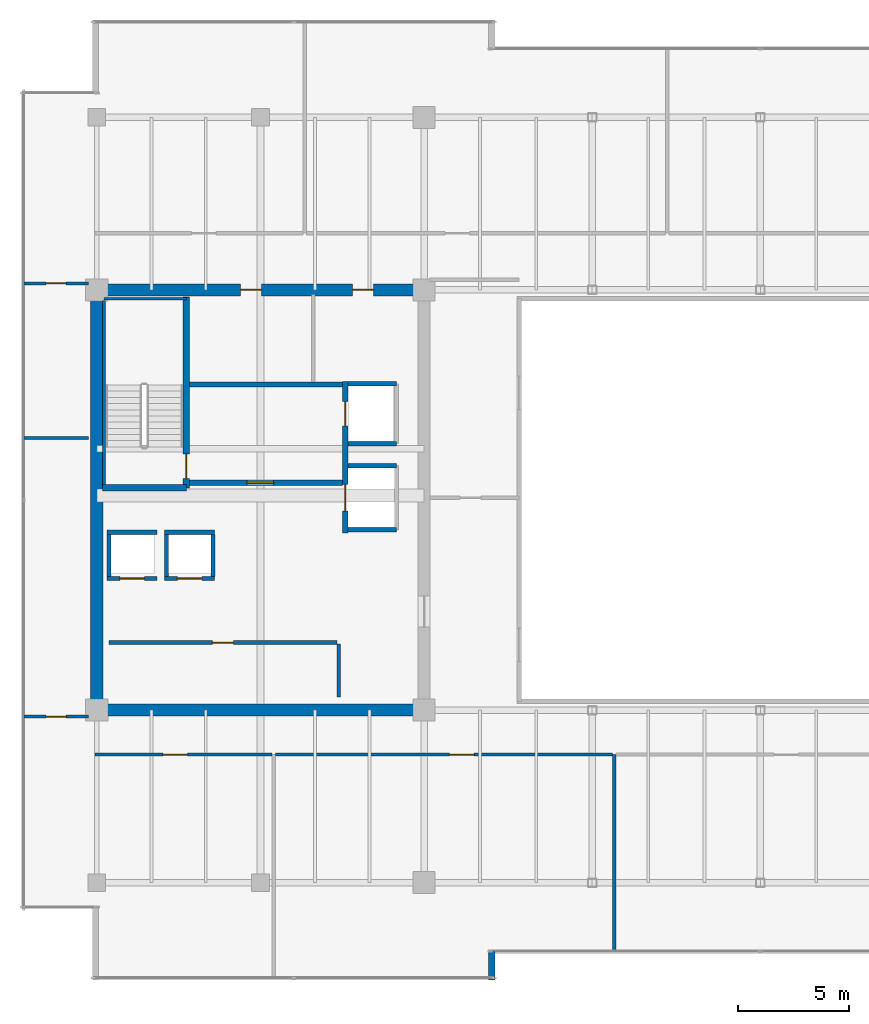
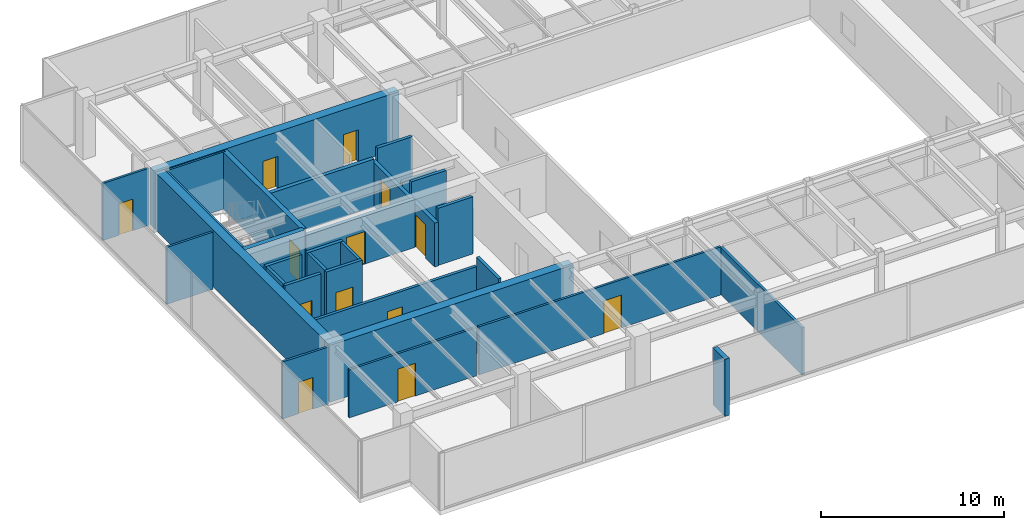
# One storey, part 28 of 33: 30 walls, 13 doors, 13 openings.
"""IFC4 building model written with IfcOpenShell, lengths in metres."""

from ifc_helpers import new_model, si_unit, direction, frame, frame_2d, origin, place, context, subcontext, project, spatial, rectangle, extrude, source, transform, mapped, material, layer, layer_set, type_object, type_shapes, element, fill, save


model = new_model("IFC4")

# Units and contexts
model_context = context("Model", 3, precision=1e-05, world=origin(), true_north=direction((0.0, 1.0)))
body_context = subcontext(model_context, "Body", "Model", "MODEL_VIEW")
ifc_project = project(units=[si_unit("LENGTHUNIT", "METRE"), si_unit("AREAUNIT", "SQUARE_METRE"), si_unit("VOLUMEUNIT", "CUBIC_METRE"), si_unit("PLANEANGLEUNIT", "RADIAN"), si_unit("MASSUNIT", "GRAM", prefix="KILO")], contexts=[model_context])

# Site, building, storey
site_placement = place(None, origin())
site = spatial("IfcSite", under=ifc_project, at=site_placement, CompositionType="ELEMENT")
building_placement = place(site_placement, origin())
building = spatial("IfcBuilding", under=site, at=building_placement, Name="Haelvirn Gate Laboratories", CompositionType="ELEMENT")
storey_placement = place(building_placement, frame((0.0, 0.0, 250.60009765625)))
storey = spatial("IfcBuildingStorey", under=building, at=storey_placement, Name="L60", CompositionType="ELEMENT", Elevation=250.60009765625)

# Walls
ifc_material_1 = material(Name="Thermally-broken bronze aluminium rainscreen & mineral wool", Category="aluminium")
ifc_layer_1 = layer(ifc_material_1, 0.280029296875, Name="EW-TERR-280")
ifc_layer_set_1 = layer_set([ifc_layer_1], Name="Thermally-broken bronze aluminium rainscreen & mineral wool")
wall_type_1 = type_object("IfcWallType", Name="EW-TERR-280", PredefinedType="STANDARD", material=ifc_layer_set_1)
wall_1_placement = place(storey_placement, frame((25.260009765625, 2.60009765625, 0.0), z_axis=(0.0, 0.0, 1.0), x_axis=(0.0, 1.0, 0.0)))
element("IfcWall", 1, at=wall_1_placement, inside=storey, type_object=wall_type_1, Name="L60 Atrium Recess Bronze Return Wall 01", PredefinedType="STANDARD", context=body_context, shape_type="SweptSolid", body=[
    extrude(rectangle(XDim=1.29296875, YDim=0.280029296875, at=frame_2d((0.646484375, 0.0))), origin(), (0.0, 0.0, 1.0), 3.7998046875),
])
ifc_material_2 = material(Name="Double-layer acoustic gypsum laboratory partition", Category="gypsum")
ifc_layer_2 = layer(ifc_material_2, 0.159912109375, Name="IW-ACOUST-160")
ifc_layer_set_2 = layer_set([ifc_layer_2], Name="Double-layer acoustic gypsum laboratory partition")
wall_type_2 = type_object("IfcWallType", Name="IW-ACOUST-160", PredefinedType="PARTITIONING", material=ifc_layer_set_2)
wall_2_placement = place(storey_placement, frame((30.800048828125, 3.909912109375, 0.0), z_axis=(0.0, 0.0, 1.0), x_axis=(0.0, 1.0, 0.0)))
element("IfcWall", 2, at=wall_2_placement, inside=storey, type_object=wall_type_2, Name="L60 Interior Wall IW-L60-SDIV-02", PredefinedType="PARTITIONING", context=body_context, shape_type="SweptSolid", body=[
    extrude(rectangle(XDim=8.880126953125, YDim=0.159912109375, at=frame_2d((4.43994140625, 0.0))), origin(), (0.0, 0.0, 1.0), 3.135009765625),
])

# Wall, opening, door
ifc_material_3 = material(Name="Acoustic mineral-wool gypsum board partition", Category="gypsum")
ifc_layer_3 = layer(ifc_material_3, 0.139892578125, Name="IW-PART-140")
ifc_layer_set_3 = layer_set([ifc_layer_3], Name="Acoustic mineral-wool gypsum board partition")
wall_type_3 = type_object("IfcWallType", Name="IW-PART-140", PredefinedType="PARTITIONING", material=ifc_layer_set_3)
wall_3_placement = place(storey_placement, frame((7.31005859375, 12.7900390625, 0.0), z_axis=(0.0, 0.0, 1.0), x_axis=(1.0, 0.0, 0.0)))
wall_3 = element("IfcWall", 3, at=wall_3_placement, inside=storey, type_object=wall_type_3, Name="L60 Interior Wall IW-L60-SCORR-01", PredefinedType="PARTITIONING", context=body_context, shape_type="SweptSolid", body=[
    extrude(rectangle(XDim=8.010009765625, YDim=0.139892578125, at=frame_2d((4.0048828125, 0.0))), origin(), (0.0, 0.0, 1.0), 3.197021484375),
])
opening_1_placement = place(wall_3_placement, frame((3.08251953125, 0.0, 0.0)))
opening_1 = element("IfcOpeningElement", 4, at=opening_1_placement, cuts=wall_3, Name="Opening D1", PredefinedType="OPENING", context=body_context, shape_type="SweptSolid", body=[
    extrude(rectangle(XDim=1.10009765625, YDim=2.179931640625, at=frame_2d((0.550048828125, 1.08984375))), frame((0.0, 0.080078125, 0.0), z_axis=(0.0, -1.0, 0.0), x_axis=(1.0, 0.0, 0.0)), (0.0, 0.0, 1.0), 0.159912109375),
])
ifc_material_4 = material(Name="Vision-panel acoustic solid-core timber lab door", Category="wood")
door_type_1 = type_object("IfcDoorType", Name="DR-LAB-1100", OperationType="NOTDEFINED", PredefinedType="DOOR", material=ifc_material_4)
shared_shape_1 = source(origin(), body_context, "Body", "SweptSolid", [
    extrude(rectangle(XDim=1.10009765625, YDim=2.179931640625, at=frame_2d((0.550048828125, 1.08984375))), frame((0.0, 0.02490234375, 0.0), z_axis=(0.0, -1.0, 0.0), x_axis=(1.0, 0.0, 0.0)), (0.0, 0.0, 1.0), 0.050048828125),
])
type_shapes(door_type_1, [shared_shape_1])
door_1_placement = place(opening_1_placement, origin())
door_1 = element("IfcDoor", 5, at=door_1_placement, inside=storey, type_object=door_type_1, Name="L60 Translational Data Office Door S1", OperationType="SINGLE_SWING_LEFT", OverallHeight=2.179931640625, OverallWidth=1.10009765625, PredefinedType="DOOR", context=body_context, shape_type="MappedRepresentation", body=[
    mapped(shared_shape_1, transform((0.0, 0.0, 0.0), scale=1.0)),
])
fill(opening_1, door_1)

wall_4_placement = place(storey_placement, frame((15.47998046875, 12.7900390625, 0.0), z_axis=(0.0, 0.0, 1.0), x_axis=(1.0, 0.0, 0.0)))
wall_4 = element("IfcWall", 6, at=wall_4_placement, inside=storey, type_object=wall_type_3, Name="L60 Interior Wall IW-L60-SCORR-02", PredefinedType="PARTITIONING", context=body_context, shape_type="SweptSolid", body=[
    extrude(rectangle(XDim=15.239990234375, YDim=0.139892578125, at=frame_2d((7.6201171875, 0.0))), origin(), (0.0, 0.0, 1.0), 3.197021484375),
])
opening_2_placement = place(wall_4_placement, frame((7.87646484375, 0.0, 0.0)))
opening_2 = element("IfcOpeningElement", 7, at=opening_2_placement, cuts=wall_4, Name="Opening D1", PredefinedType="OPENING", context=body_context, shape_type="SweptSolid", body=[
    extrude(rectangle(XDim=1.10009765625, YDim=2.179931640625, at=frame_2d((0.550048828125, 1.08984375))), frame((0.0, 0.080078125, 0.0), z_axis=(0.0, -1.0, 0.0), x_axis=(1.0, 0.0, 0.0)), (0.0, 0.0, 1.0), 0.159912109375),
])
door_2_placement = place(opening_2_placement, origin())
door_2 = element("IfcDoor", 8, at=door_2_placement, inside=storey, type_object=door_type_1, Name="L60 Computational Write-Up Office Door S2", OperationType="SINGLE_SWING_RIGHT", OverallHeight=2.179931640625, OverallWidth=1.10009765625, PredefinedType="DOOR", context=body_context, shape_type="MappedRepresentation", body=[
    mapped(shared_shape_1, transform((0.0, 0.0, 0.0), scale=1.0)),
])
fill(opening_2, door_2)

# Wall
wall_5_placement = place(storey_placement, frame((4.110107421875, 27.10009765625, 0.0), z_axis=(0.0, 0.0, 1.0), x_axis=(1.0, 0.0, 0.0)))
element("IfcWall", 9, at=wall_5_placement, inside=storey, type_object=wall_type_3, Name="L60 Interior Wall IW-L60-WZ3-MID", PredefinedType="PARTITIONING", context=body_context, shape_type="SweptSolid", body=[
    extrude(rectangle(XDim=2.909912109375, YDim=0.139892578125, at=frame_2d((1.455078125, 0.0))), origin(), (0.0, 0.0, 1.0), 3.7998046875),
])

# Wall, opening, door
wall_6_placement = place(storey_placement, frame((4.110107421875, 14.5048828125, 0.0), z_axis=(0.0, 0.0, 1.0), x_axis=(1.0, 0.0, 0.0)))
wall_6 = element("IfcWall", 10, at=wall_6_placement, inside=storey, type_object=wall_type_3, Name="L60 Interior Wall IW-L60-WZ3-ENT-S", PredefinedType="PARTITIONING", context=body_context, shape_type="SweptSolid", body=[
    extrude(rectangle(XDim=2.909912109375, YDim=0.139892578125, at=frame_2d((1.455078125, 0.0))), origin(), (0.0, 0.0, 1.0), 3.7998046875),
])
opening_3_placement = place(wall_6_placement, frame((1.0048828125, 0.0, 0.0)))
opening_3 = element("IfcOpeningElement", 11, at=opening_3_placement, cuts=wall_6, Name="Opening D4", PredefinedType="OPENING", context=body_context, shape_type="SweptSolid", body=[
    extrude(rectangle(XDim=0.89990234375, YDim=2.10009765625, at=frame_2d((0.449951171875, 1.050048828125))), frame((0.0, 0.080078125, 0.0), z_axis=(0.0, -1.0, 0.0), x_axis=(1.0, 0.0, 0.0)), (0.0, 0.0, 1.0), 0.159912109375),
])
ifc_material_5 = material(Name="Glazed aluminium-framed write-up door", Category="aluminium")
door_type_2 = type_object("IfcDoorType", Name="DR-OFF-900", OperationType="NOTDEFINED", PredefinedType="DOOR", material=ifc_material_5)
shared_shape_2 = source(origin(), body_context, "Body", "SweptSolid", [
    extrude(rectangle(XDim=0.89990234375, YDim=2.10009765625, at=frame_2d((0.449951171875, 1.050048828125))), frame((0.0, 0.02490234375, 0.0), z_axis=(0.0, -1.0, 0.0), x_axis=(1.0, 0.0, 0.0)), (0.0, 0.0, 1.0), 0.050048828125),
])
type_shapes(door_type_2, [shared_shape_2])
door_3_placement = place(opening_3_placement, origin())
door_3 = element("IfcDoor", 12, at=door_3_placement, inside=storey, type_object=door_type_2, Name="L60 Cleanroom Metrology Suite Door W-S", OperationType="SINGLE_SWING_LEFT", OverallHeight=2.10009765625, OverallWidth=0.89990234375, PredefinedType="DOOR", context=body_context, shape_type="MappedRepresentation", body=[
    mapped(shared_shape_2, transform((0.0, 0.0, 0.0), scale=1.0)),
])
fill(opening_3, door_3)

wall_7_placement = place(storey_placement, frame((4.110107421875, 34.094970703125, 0.0), z_axis=(0.0, 0.0, 1.0), x_axis=(1.0, 0.0, 0.0)))
wall_7 = element("IfcWall", 13, at=wall_7_placement, inside=storey, type_object=wall_type_3, Name="L60 Interior Wall IW-L60-WZ3-ENT-N", PredefinedType="PARTITIONING", context=body_context, shape_type="SweptSolid", body=[
    extrude(rectangle(XDim=2.909912109375, YDim=0.139892578125, at=frame_2d((1.455078125, 0.0))), origin(), (0.0, 0.0, 1.0), 3.7998046875),
])
opening_4_placement = place(wall_7_placement, frame((1.0048828125, 0.0, 0.0)))
opening_4 = element("IfcOpeningElement", 14, at=opening_4_placement, cuts=wall_7, Name="Opening D4", PredefinedType="OPENING", context=body_context, shape_type="SweptSolid", body=[
    extrude(rectangle(XDim=0.89990234375, YDim=2.10009765625, at=frame_2d((0.449951171875, 1.050048828125))), frame((0.0, 0.080078125, 0.0), z_axis=(0.0, -1.0, 0.0), x_axis=(1.0, 0.0, 0.0)), (0.0, 0.0, 1.0), 0.159912109375),
])
door_4_placement = place(opening_4_placement, origin())
door_4 = element("IfcDoor", 15, at=door_4_placement, inside=storey, type_object=door_type_2, Name="L60 Analytical Instrument Suite Door W-N", OperationType="SINGLE_SWING_RIGHT", OverallHeight=2.10009765625, OverallWidth=0.89990234375, PredefinedType="DOOR", context=body_context, shape_type="MappedRepresentation", body=[
    mapped(shared_shape_2, transform((0.0, 0.0, 0.0), scale=1.0)),
])
fill(opening_4, door_4)

# Walls
ifc_material_6 = material(Name="Concrete C40/50", Category="concrete")
ifc_layer_4 = layer(ifc_material_6, 0.179931640625, Name="IW-SHAFT-180")
ifc_layer_set_4 = layer_set([ifc_layer_4], Name="Concrete C40/50")
wall_type_4 = type_object("IfcWallType", Name="IW-SHAFT-180", PredefinedType="SOLIDWALL", material=ifc_layer_set_4)
for number, where, z_axis, x_axis, name in (
    (16, (7.949951171875, 20.85009765625, 0.0), (0.0, 0.0, 1.0), (0.0, 1.0, 0.0), "L60 Interior Wall IW-L60-PL9-SD"),
    (17, (10.550048828125, 20.85009765625, 0.0), (0.0, 0.0, 1.0), (0.0, 1.0, 0.0), "L60 Interior Wall IW-L60-PL10-SD"),
    (18, (12.64990234375, 20.85009765625, 0.0), (0.0, 0.0, 1.0), (0.0, 1.0, 0.0), "L60 Interior Wall IW-L60-PL10-SDE"),
):
    element("IfcWall", number, at=place(storey_placement, frame(where, z_axis=z_axis, x_axis=x_axis)), inside=storey, type_object=wall_type_4, Name=name, PredefinedType="SOLIDWALL", context=body_context, shape_type="SweptSolid", body=[
        extrude(rectangle(XDim=1.89990234375, YDim=0.179931640625, at=frame_2d((0.949951171875, 0.0))), origin(), (0.0, 0.0, 1.0), 3.7998046875),
    ])

# Wall, opening, door
wall_8_placement = place(storey_placement, frame((7.949951171875, 17.85009765625, 0.0), z_axis=(0.0, 0.0, 1.0), x_axis=(1.0, 0.0, 0.0)))
wall_8 = element("IfcWall", 19, at=wall_8_placement, inside=storey, type_object=wall_type_4, Name="L60 Interior Wall IW-L60-W-FREED-HN-1", PredefinedType="SOLIDWALL", context=body_context, shape_type="SweptSolid", body=[
    extrude(rectangle(XDim=10.300048828125, YDim=0.179931640625, at=frame_2d((5.14990234375, 0.0))), origin(), (0.0, 0.0, 1.0), 3.197021484375),
])
opening_5_placement = place(wall_8_placement, frame((4.675048828125, 0.0, 0.0)))
opening_5 = element("IfcOpeningElement", 20, at=opening_5_placement, cuts=wall_8, Name="Opening FD4", PredefinedType="OPENING", context=body_context, shape_type="SweptSolid", body=[
    extrude(rectangle(XDim=0.949951171875, YDim=2.14990234375, at=frame_2d((0.47509765625, 1.074951171875))), frame((0.0, 0.10009765625, 0.0), z_axis=(0.0, -1.0, 0.0), x_axis=(1.0, 0.0, 0.0)), (0.0, 0.0, 1.0), 0.199951171875),
])
ifc_material_7 = material(Name="Fire-rated steel SM355 core service door", Category="steel")
door_type_3 = type_object("IfcDoorType", Name="DR-FD-950", OperationType="NOTDEFINED", PredefinedType="DOOR", material=ifc_material_7)
shared_shape_3 = source(origin(), body_context, "Body", "SweptSolid", [
    extrude(rectangle(XDim=0.949951171875, YDim=2.14990234375, at=frame_2d((0.47509765625, 1.074951171875))), frame((0.0, 0.02490234375, 0.0), z_axis=(0.0, -1.0, 0.0), x_axis=(1.0, 0.0, 0.0)), (0.0, 0.0, 1.0), 0.050048828125),
])
type_shapes(door_type_3, [shared_shape_3])
door_5_placement = place(opening_5_placement, origin())
door_5 = element("IfcDoor", 21, at=door_5_placement, inside=storey, type_object=door_type_3, Name="L60 High-Zone Cryogenic Biobank Vault Door", OperationType="SINGLE_SWING_LEFT", OverallHeight=2.14990234375, OverallWidth=0.949951171875, PredefinedType="DOOR", context=body_context, shape_type="MappedRepresentation", body=[
    mapped(shared_shape_3, transform((0.0, 0.0, 0.0), scale=1.0)),
])
fill(opening_5, door_5)

# Wall
wall_9_placement = place(storey_placement, frame((18.340087890625, 15.39990234375, 0.0), z_axis=(0.0, 0.0, 1.0), x_axis=(0.0, 1.0, 0.0)))
element("IfcWall", 22, at=wall_9_placement, inside=storey, type_object=wall_type_4, Name="L60 Interior Wall IW-L60-W-FREED-HE-1", PredefinedType="SOLIDWALL", context=body_context, shape_type="SweptSolid", body=[
    extrude(rectangle(XDim=2.400146484375, YDim=0.179931640625, at=frame_2d((1.2001953125, 0.0))), origin(), (0.0, 0.0, 1.0), 3.7998046875),
])

# Wall, opening, door
ifc_layer_5 = layer(ifc_material_6, 0.199951171875, Name="IW-SHAFT-200")
ifc_layer_set_5 = layer_set([ifc_layer_5], Name="Concrete C40/50")
wall_type_5 = type_object("IfcWallType", Name="IW-SHAFT-200", PredefinedType="SOLIDWALL", material=ifc_layer_set_5)
wall_10_placement = place(storey_placement, frame((7.8701171875, 20.75, 0.0), z_axis=(0.0, 0.0, 1.0), x_axis=(1.0, 0.0, 0.0)))
wall_10 = element("IfcWall", 23, at=wall_10_placement, inside=storey, type_object=wall_type_5, Name="L60 Interior Wall IW-L60-PL9-FR", PredefinedType="SOLIDWALL", context=body_context, shape_type="SweptSolid", body=[
    extrude(rectangle(XDim=2.259765625, YDim=0.199951171875, at=frame_2d((1.1298828125, 0.0))), origin(), (0.0, 0.0, 1.0), 3.7998046875),
])
opening_6_placement = place(wall_10_placement, frame((0.580078125, 0.0, 0.0)))
opening_6 = element("IfcOpeningElement", 24, at=opening_6_placement, cuts=wall_10, Name="Opening LD2", PredefinedType="OPENING", context=body_context, shape_type="SweptSolid", body=[
    extrude(rectangle(XDim=1.10009765625, YDim=2.219970703125, at=frame_2d((0.550048828125, 1.10986328125))), frame((0.0, 0.10986328125, 0.0), z_axis=(0.0, -1.0, 0.0), x_axis=(1.0, 0.0, 0.0)), (0.0, 0.0, 1.0), 0.219970703125),
])
ifc_material_8 = material(Name="Bronze stainless 316L sliding lift landing door")
door_type_4 = type_object("IfcDoorType", Name="DR-LD-1100", OperationType="NOTDEFINED", PredefinedType="USERDEFINED", material=ifc_material_8)
shared_shape_4 = source(origin(), body_context, "Body", "SweptSolid", [
    extrude(rectangle(XDim=1.10009765625, YDim=2.219970703125, at=frame_2d((0.550048828125, 1.10986328125))), frame((0.0, 0.02490234375, 0.0), z_axis=(0.0, -1.0, 0.0), x_axis=(1.0, 0.0, 0.0)), (0.0, 0.0, 1.0), 0.050048828125),
])
type_shapes(door_type_4, [shared_shape_4])
door_6_placement = place(opening_6_placement, origin())
door_6 = element("IfcDoor", 25, at=door_6_placement, inside=storey, type_object=door_type_4, Name="L60 Passenger Lift PL9 Landing Door", ObjectType="LANDING_DOOR", OperationType="SLIDING_TO_LEFT", OverallHeight=2.219970703125, OverallWidth=1.10009765625, PredefinedType="USERDEFINED", context=body_context, shape_type="MappedRepresentation", body=[
    mapped(shared_shape_4, transform((0.0, 0.0, 0.0), scale=1.0)),
])
fill(opening_6, door_6)

# Wall
wall_11_placement = place(storey_placement, frame((7.8701171875, 22.85009765625, 0.0), z_axis=(0.0, 0.0, 1.0), x_axis=(1.0, 0.0, 0.0)))
element("IfcWall", 26, at=wall_11_placement, inside=storey, type_object=wall_type_5, Name="L60 Interior Wall IW-L60-PL9-BK", PredefinedType="SOLIDWALL", context=body_context, shape_type="SweptSolid", body=[
    extrude(rectangle(XDim=2.259765625, YDim=0.199951171875, at=frame_2d((1.1298828125, 0.0))), origin(), (0.0, 0.0, 1.0), 3.7998046875),
])

# Wall, opening, door
wall_12_placement = place(storey_placement, frame((10.469970703125, 20.75, 0.0), z_axis=(0.0, 0.0, 1.0), x_axis=(1.0, 0.0, 0.0)))
wall_12 = element("IfcWall", 27, at=wall_12_placement, inside=storey, type_object=wall_type_5, Name="L60 Interior Wall IW-L60-PL10-FR", PredefinedType="SOLIDWALL", context=body_context, shape_type="SweptSolid", body=[
    extrude(rectangle(XDim=2.260009765625, YDim=0.199951171875, at=frame_2d((1.1298828125, 0.0))), origin(), (0.0, 0.0, 1.0), 3.7998046875),
])
opening_7_placement = place(wall_12_placement, frame((0.580078125, 0.0, 0.0)))
opening_7 = element("IfcOpeningElement", 28, at=opening_7_placement, cuts=wall_12, Name="Opening LD2", PredefinedType="OPENING", context=body_context, shape_type="SweptSolid", body=[
    extrude(rectangle(XDim=1.10009765625, YDim=2.219970703125, at=frame_2d((0.550048828125, 1.10986328125))), frame((0.0, 0.10986328125, 0.0), z_axis=(0.0, -1.0, 0.0), x_axis=(1.0, 0.0, 0.0)), (0.0, 0.0, 1.0), 0.219970703125),
])
door_7_placement = place(opening_7_placement, origin())
door_7 = element("IfcDoor", 29, at=door_7_placement, inside=storey, type_object=door_type_4, Name="L60 Passenger Lift PL10 Landing Door", ObjectType="LANDING_DOOR", OperationType="SLIDING_TO_RIGHT", OverallHeight=2.219970703125, OverallWidth=1.10009765625, PredefinedType="USERDEFINED", context=body_context, shape_type="MappedRepresentation", body=[
    mapped(shared_shape_4, transform((0.0, 0.0, 0.0), scale=1.0)),
])
fill(opening_7, door_7)

# Walls
wall_13_placement = place(storey_placement, frame((10.469970703125, 22.85009765625, 0.0), z_axis=(0.0, 0.0, 1.0), x_axis=(1.0, 0.0, 0.0)))
element("IfcWall", 30, at=wall_13_placement, inside=storey, type_object=wall_type_5, Name="L60 Interior Wall IW-L60-PL10-BK", PredefinedType="SOLIDWALL", context=body_context, shape_type="SweptSolid", body=[
    extrude(rectangle(XDim=2.260009765625, YDim=0.199951171875, at=frame_2d((1.1298828125, 0.0))), origin(), (0.0, 0.0, 1.0), 3.7998046875),
])
wall_14_placement = place(storey_placement, frame((18.760009765625, 29.550048828125, 0.0), z_axis=(0.0, 0.0, 1.0), x_axis=(1.0, 0.0, 0.0)))
element("IfcWall", 31, at=wall_14_placement, inside=storey, type_object=wall_type_5, Name="L60 Interior Wall IW-L60-FL1-N", PredefinedType="SOLIDWALL", context=body_context, shape_type="SweptSolid", body=[
    extrude(rectangle(XDim=2.18994140625, YDim=0.199951171875, at=frame_2d((1.094970703125, 0.0))), origin(), (0.0, 0.0, 1.0), 3.7998046875),
])
wall_15_placement = place(storey_placement, frame((18.760009765625, 26.85009765625, 0.0), z_axis=(0.0, 0.0, 1.0), x_axis=(1.0, 0.0, 0.0)))
element("IfcWall", 32, at=wall_15_placement, inside=storey, type_object=wall_type_5, Name="L60 Interior Wall IW-L60-FL1-S", PredefinedType="SOLIDWALL", context=body_context, shape_type="SweptSolid", body=[
    extrude(rectangle(XDim=2.18994140625, YDim=0.199951171875, at=frame_2d((1.094970703125, 0.0))), origin(), (0.0, 0.0, 1.0), 3.197021484375),
])
for number, where, z_axis, x_axis, name in (
    (33, (18.760009765625, 25.85009765625, 0.0), (0.0, 0.0, 1.0), (1.0, 0.0, 0.0), "L60 Interior Wall IW-L60-SL1-N"),
    (34, (18.760009765625, 22.949951171875, 0.0), (0.0, 0.0, 1.0), (1.0, 0.0, 0.0), "L60 Interior Wall IW-L60-SL1-S"),
):
    element("IfcWall", number, at=place(storey_placement, frame(where, z_axis=z_axis, x_axis=x_axis)), inside=storey, type_object=wall_type_5, Name=name, PredefinedType="SOLIDWALL", context=body_context, shape_type="SweptSolid", body=[
        extrude(rectangle(XDim=2.18994140625, YDim=0.199951171875, at=frame_2d((1.094970703125, 0.0))), origin(), (0.0, 0.0, 1.0), 3.7998046875),
    ])

# Wall, opening, door
ifc_layer_6 = layer(ifc_material_6, 0.239990234375, Name="IW-SHAFT-240")
ifc_layer_set_6 = layer_set([ifc_layer_6], Name="Concrete C40/50")
wall_type_6 = type_object("IfcWallType", Name="IW-SHAFT-240", PredefinedType="SOLIDWALL", material=ifc_layer_set_6)
wall_16_placement = place(storey_placement, frame((11.60009765625, 25.080078125, 0.0), z_axis=(0.0, 0.0, 1.0), x_axis=(1.0, 0.0, 0.0)))
wall_16 = element("IfcWall", 35, at=wall_16_placement, inside=storey, type_object=wall_type_6, Name="L60 Interior Wall IW-L60-W-FF-S", PredefinedType="SOLIDWALL", context=body_context, shape_type="SweptSolid", body=[
    extrude(rectangle(XDim=6.919921875, YDim=0.239990234375, at=frame_2d((3.4599609375, 0.0))), origin(), (0.0, 0.0, 1.0), 3.197021484375),
])
opening_8_placement = place(wall_16_placement, frame((2.60009765625, 0.0, 0.0)))
opening_8 = element("IfcOpeningElement", 36, at=opening_8_placement, cuts=wall_16, Name="Opening FD2", PredefinedType="OPENING", context=body_context, shape_type="SweptSolid", body=[
    extrude(rectangle(XDim=1.199951171875, YDim=2.159912109375, at=frame_2d((0.60009765625, 1.080078125))), frame((0.0, 0.1298828125, 0.0), z_axis=(0.0, -1.0, 0.0), x_axis=(1.0, 0.0, 0.0)), (0.0, 0.0, 1.0), 0.260009765625),
])
ifc_material_9 = material(Name="Fire-rated steel SM355 compartment door", Category="steel")
door_type_5 = type_object("IfcDoorType", Name="DR-FD-1200", OperationType="NOTDEFINED", PredefinedType="DOOR", material=ifc_material_9)
shared_shape_5 = source(origin(), body_context, "Body", "SweptSolid", [
    extrude(rectangle(XDim=1.199951171875, YDim=2.159912109375, at=frame_2d((0.60009765625, 1.080078125))), frame((0.0, 0.02490234375, 0.0), z_axis=(0.0, -1.0, 0.0), x_axis=(1.0, 0.0, 0.0)), (0.0, 0.0, 1.0), 0.050048828125),
])
type_shapes(door_type_5, [shared_shape_5])
door_8_placement = place(opening_8_placement, origin())
door_8 = element("IfcDoor", 37, at=door_8_placement, inside=storey, type_object=door_type_5, Name="L60 West Firefighting Lobby Door", OperationType="SINGLE_SWING_RIGHT", OverallHeight=2.159912109375, OverallWidth=1.199951171875, PredefinedType="DOOR", context=body_context, shape_type="MappedRepresentation", body=[
    mapped(shared_shape_5, transform((0.0, 0.0, 0.0), scale=1.0)),
])
fill(opening_8, door_8)

# Wall
wall_17_placement = place(storey_placement, frame((11.60009765625, 29.52001953125, 0.0), z_axis=(0.0, 0.0, 1.0), x_axis=(1.0, 0.0, 0.0)))
element("IfcWall", 38, at=wall_17_placement, inside=storey, type_object=wall_type_6, Name="L60 Interior Wall IW-L60-W-FF-N", PredefinedType="SOLIDWALL", context=body_context, shape_type="SweptSolid", body=[
    extrude(rectangle(XDim=6.919921875, YDim=0.239990234375, at=frame_2d((3.4599609375, 0.0))), origin(), (0.0, 0.0, 1.0), 3.197021484375),
])

# Wall, openings, doors
wall_18_placement = place(storey_placement, frame((18.639892578125, 22.800048828125, 0.0), z_axis=(0.0, 0.0, 1.0), x_axis=(0.0, 1.0, 0.0)))
wall_18 = element("IfcWall", 39, at=wall_18_placement, inside=storey, type_object=wall_type_6, Name="L60 Interior Wall IW-L60-W-FF-E", PredefinedType="SOLIDWALL", context=body_context, shape_type="SweptSolid", body=[
    extrude(rectangle(XDim=6.849853515625, YDim=0.239990234375, at=frame_2d((3.4248046875, 0.0))), origin(), (0.0, 0.0, 1.0), 2.934814453125),
])
opening_9_placement = place(wall_18_placement, frame((4.85009765625, 0.0, 0.0)))
opening_9 = element("IfcOpeningElement", 40, at=opening_9_placement, cuts=wall_18, Name="Opening LD2", PredefinedType="OPENING", context=body_context, shape_type="SweptSolid", body=[
    extrude(rectangle(XDim=1.10009765625, YDim=2.219970703125, at=frame_2d((0.550048828125, 1.10986328125))), frame((0.0, 0.1298828125, 0.0), z_axis=(0.0, -1.0, 0.0), x_axis=(1.0, 0.0, 0.0)), (0.0, 0.0, 1.0), 0.260009765625),
])
opening_10_placement = place(wall_18_placement, frame((1.0, 0.0, 0.0)))
opening_10 = element("IfcOpeningElement", 41, at=opening_10_placement, cuts=wall_18, Name="Opening LD1", PredefinedType="OPENING", context=body_context, shape_type="SweptSolid", body=[
    extrude(rectangle(XDim=1.199951171875, YDim=2.219970703125, at=frame_2d((0.60009765625, 1.10986328125))), frame((0.0, 0.1298828125, 0.0), z_axis=(0.0, -1.0, 0.0), x_axis=(1.0, 0.0, 0.0)), (0.0, 0.0, 1.0), 0.260009765625),
])
door_9_placement = place(opening_9_placement, origin())
door_9 = element("IfcDoor", 42, at=door_9_placement, inside=storey, type_object=door_type_4, Name="L60 Firefighting Lift FL1 Landing Door", ObjectType="LANDING_DOOR", OperationType="SLIDING_TO_LEFT", OverallHeight=2.219970703125, OverallWidth=1.10009765625, PredefinedType="USERDEFINED", context=body_context, shape_type="MappedRepresentation", body=[
    mapped(shared_shape_4, transform((0.0, 0.0, 0.0), scale=1.0)),
])
fill(opening_9, door_9)
ifc_material_10 = material(Name="Stainless steel 316L sliding goods landing door", Category="steel")
door_type_6 = type_object("IfcDoorType", Name="DR-LD-1200", OperationType="NOTDEFINED", PredefinedType="USERDEFINED", material=ifc_material_10)
shared_shape_6 = source(origin(), body_context, "Body", "SweptSolid", [
    extrude(rectangle(XDim=1.199951171875, YDim=2.219970703125, at=frame_2d((0.60009765625, 1.10986328125))), frame((0.0, 0.02490234375, 0.0), z_axis=(0.0, -1.0, 0.0), x_axis=(1.0, 0.0, 0.0)), (0.0, 0.0, 1.0), 0.050048828125),
])
type_shapes(door_type_6, [shared_shape_6])
door_10_placement = place(opening_10_placement, origin())
door_10 = element("IfcDoor", 43, at=door_10_placement, inside=storey, type_object=door_type_6, Name="L60 Service Lift SL1 Landing Door", ObjectType="LANDING_DOOR", OperationType="SLIDING_TO_RIGHT", OverallHeight=2.219970703125, OverallWidth=1.199951171875, PredefinedType="USERDEFINED", context=body_context, shape_type="MappedRepresentation", body=[
    mapped(shared_shape_6, transform((0.0, 0.0, 0.0), scale=1.0)),
])
fill(opening_10, door_10)

# Wall
ifc_material_11 = material(Name="Concrete C50/60", Category="concrete")
ifc_layer_7 = layer(ifc_material_11, 0.550048828125, Name="SW-CORE-550")
ifc_layer_set_7 = layer_set([ifc_layer_7], Name="Concrete C50/60")
wall_type_7 = type_object("IfcWallType", Name="SW-CORE-550", PredefinedType="SHEAR", material=ifc_layer_set_7)
wall_19_placement = place(storey_placement, frame((7.125, 14.800048828125, 0.0), z_axis=(0.0, 0.0, 1.0), x_axis=(1.0, 0.0, 0.0)))
element("IfcWall", 44, at=wall_19_placement, inside=storey, type_object=wall_type_7, Name="L60 W Core Shear Wall S", PredefinedType="SHEAR", context=body_context, shape_type="SweptSolid", body=[
    extrude(rectangle(XDim=15.35009765625, YDim=0.550048828125, at=frame_2d((7.675048828125, 0.0))), origin(), (0.0, 0.0, 1.0), 3.7998046875),
])

# Wall, openings, doors
wall_20_placement = place(storey_placement, frame((7.125, 33.800048828125, 0.0), z_axis=(0.0, 0.0, 1.0), x_axis=(1.0, 0.0, 0.0)))
wall_20 = element("IfcWall", 45, at=wall_20_placement, inside=storey, type_object=wall_type_7, Name="L60 W Core Shear Wall N", PredefinedType="SHEAR", context=body_context, shape_type="SweptSolid", body=[
    extrude(rectangle(XDim=15.35009765625, YDim=0.550048828125, at=frame_2d((7.675048828125, 0.0))), origin(), (0.0, 0.0, 1.0), 3.7998046875),
])
opening_11_placement = place(wall_20_placement, frame((6.77490234375, 0.0, 0.0)))
opening_11 = element("IfcOpeningElement", 46, at=opening_11_placement, cuts=wall_20, Name="Opening FD4", PredefinedType="OPENING", context=body_context, shape_type="SweptSolid", body=[
    extrude(rectangle(XDim=0.949951171875, YDim=2.14990234375, at=frame_2d((0.47509765625, 1.074951171875))), frame((0.0, 0.28515625, 0.0), z_axis=(0.0, -1.0, 0.0), x_axis=(1.0, 0.0, 0.0)), (0.0, 0.0, 1.0), 0.570068359375),
])
opening_12_placement = place(wall_20_placement, frame((11.840087890625, 0.0, 0.0)))
opening_12 = element("IfcOpeningElement", 47, at=opening_12_placement, cuts=wall_20, Name="Opening FD4", PredefinedType="OPENING", context=body_context, shape_type="SweptSolid", body=[
    extrude(rectangle(XDim=0.949951171875, YDim=2.14990234375, at=frame_2d((0.47509765625, 1.074951171875))), frame((0.0, 0.28515625, 0.0), z_axis=(0.0, -1.0, 0.0), x_axis=(1.0, 0.0, 0.0)), (0.0, 0.0, 1.0), 0.570068359375),
])
door_11_placement = place(opening_11_placement, origin())
door_11 = element("IfcDoor", 48, at=door_11_placement, inside=storey, type_object=door_type_3, Name="L60 All-Gender Multi-Stall Restroom Fire Door", OperationType="SINGLE_SWING_LEFT", OverallHeight=2.14990234375, OverallWidth=0.949951171875, PredefinedType="DOOR", context=body_context, shape_type="MappedRepresentation", body=[
    mapped(shared_shape_3, transform((0.0, 0.0, 0.0), scale=1.0)),
])
fill(opening_11, door_11)
door_12_placement = place(opening_12_placement, origin())
door_12 = element("IfcDoor", 49, at=door_12_placement, inside=storey, type_object=door_type_3, Name="L60 Accessible Restroom Fire Door", OperationType="SINGLE_SWING_RIGHT", OverallHeight=2.14990234375, OverallWidth=0.949951171875, PredefinedType="DOOR", context=body_context, shape_type="MappedRepresentation", body=[
    mapped(shared_shape_3, transform((0.0, 0.0, 0.0), scale=1.0)),
])
fill(opening_12, door_12)

# Walls
wall_21_placement = place(storey_placement, frame((7.39990234375, 15.074951171875, 0.0), z_axis=(0.0, 0.0, 1.0), x_axis=(0.0, 1.0, 0.0)))
element("IfcWall", 50, at=wall_21_placement, inside=storey, type_object=wall_type_7, Name="L60 W Core Shear Wall W", PredefinedType="SHEAR", context=body_context, shape_type="SweptSolid", body=[
    extrude(rectangle(XDim=18.449951171875, YDim=0.550048828125, at=frame_2d((9.22509765625, 0.0))), origin(), (0.0, 0.0, 1.0), 3.7998046875),
])
ifc_layer_8 = layer(ifc_material_11, 0.1201171875, Name="SW-LINER-120")
ifc_layer_set_8 = layer_set([ifc_layer_8], Name="Concrete C50/60")
wall_type_8 = type_object("IfcWallType", Name="SW-LINER-120", PredefinedType="SOLIDWALL", material=ifc_layer_set_8)
wall_22_placement = place(storey_placement, frame((7.72998046875, 33.39990234375, 0.0), z_axis=(0.0, 0.0, 1.0), x_axis=(1.0, 0.0, 0.0)))
element("IfcWall", 51, at=wall_22_placement, inside=storey, type_object=wall_type_8, Name="L60 W Core Stair Shaft Liner Wall N", PredefinedType="SOLIDWALL", context=body_context, shape_type="SweptSolid", body=[
    extrude(rectangle(XDim=3.719970703125, YDim=0.1201171875, at=frame_2d((1.85986328125, 0.0))), origin(), (0.0, 0.0, 1.0), 3.7998046875),
])
wall_23_placement = place(storey_placement, frame((7.72998046875, 25.0, 0.0), z_axis=(0.0, 0.0, 1.0), x_axis=(0.0, 1.0, 0.0)))
element("IfcWall", 52, at=wall_23_placement, inside=storey, type_object=wall_type_8, Name="L60 W Core Stair Shaft Liner Wall OUT", PredefinedType="SOLIDWALL", context=body_context, shape_type="SweptSolid", body=[
    extrude(rectangle(XDim=8.320068359375, YDim=0.1201171875, at=frame_2d((4.16015625, 0.0))), origin(), (0.0, 0.0, 1.0), 3.7998046875),
])

# Wall, opening, door
ifc_layer_9 = layer(ifc_material_11, 0.300048828125, Name="SW-STAIR-300")
ifc_layer_set_9 = layer_set([ifc_layer_9], Name="Concrete C50/60")
wall_type_9 = type_object("IfcWallType", Name="SW-STAIR-300", PredefinedType="SHEAR", material=ifc_layer_set_9)
wall_24_placement = place(storey_placement, frame((11.449951171875, 24.85009765625, 0.0), z_axis=(0.0, 0.0, 1.0), x_axis=(0.0, 1.0, 0.0)))
wall_24 = element("IfcWall", 53, at=wall_24_placement, inside=storey, type_object=wall_type_9, Name="L60 W Core Stair Shaft Structural Wall IN", PredefinedType="SHEAR", context=body_context, shape_type="SweptSolid", body=[
    extrude(rectangle(XDim=8.6298828125, YDim=0.300048828125, at=frame_2d((4.31494140625, 0.0))), origin(), (0.0, 0.0, 1.0), 3.7998046875),
])
opening_13_placement = place(wall_24_placement, frame((0.419921875, 0.0, 0.0)))
opening_13 = element("IfcOpeningElement", 54, at=opening_13_placement, cuts=wall_24, Name="Opening FD3", PredefinedType="OPENING", context=body_context, shape_type="SweptSolid", body=[
    extrude(rectangle(XDim=1.10009765625, YDim=2.14990234375, at=frame_2d((0.550048828125, 1.074951171875))), frame((0.0, 0.16015625, 0.0), z_axis=(0.0, -1.0, 0.0), x_axis=(1.0, 0.0, 0.0)), (0.0, 0.0, 1.0), 0.320068359375),
])
ifc_material_12 = material(Name="Fire-rated steel SM355 escape stair door", Category="steel")
door_type_7 = type_object("IfcDoorType", Name="DR-FD-1100", OperationType="NOTDEFINED", PredefinedType="DOOR", material=ifc_material_12)
shared_shape_7 = source(origin(), body_context, "Body", "SweptSolid", [
    extrude(rectangle(XDim=1.10009765625, YDim=2.14990234375, at=frame_2d((0.550048828125, 1.074951171875))), frame((0.0, 0.02490234375, 0.0), z_axis=(0.0, -1.0, 0.0), x_axis=(1.0, 0.0, 0.0)), (0.0, 0.0, 1.0), 0.050048828125),
])
type_shapes(door_type_7, [shared_shape_7])
door_13_placement = place(opening_13_placement, origin())
door_13 = element("IfcDoor", 55, at=door_13_placement, inside=storey, type_object=door_type_7, Name="L60 Escape Stair ST1 Fire Door", OperationType="SINGLE_SWING_LEFT", OverallHeight=2.14990234375, OverallWidth=1.10009765625, PredefinedType="DOOR", context=body_context, shape_type="MappedRepresentation", body=[
    mapped(shared_shape_7, transform((0.0, 0.0, 0.0), scale=1.0)),
])
fill(opening_13, door_13)

# Wall
wall_25_placement = place(storey_placement, frame((7.64990234375, 24.85009765625, 0.0), z_axis=(0.0, 0.0, 1.0), x_axis=(1.0, 0.0, 0.0)))
element("IfcWall", 56, at=wall_25_placement, inside=storey, type_object=wall_type_9, Name="L60 W Core Stair Shaft Structural Wall S", PredefinedType="SHEAR", context=body_context, shape_type="SweptSolid", body=[
    extrude(rectangle(XDim=3.800048828125, YDim=0.300048828125, at=frame_2d((1.89990234375, 0.0))), origin(), (0.0, 0.0, 1.0), 3.7998046875),
])

save(model, "model.ifc")
